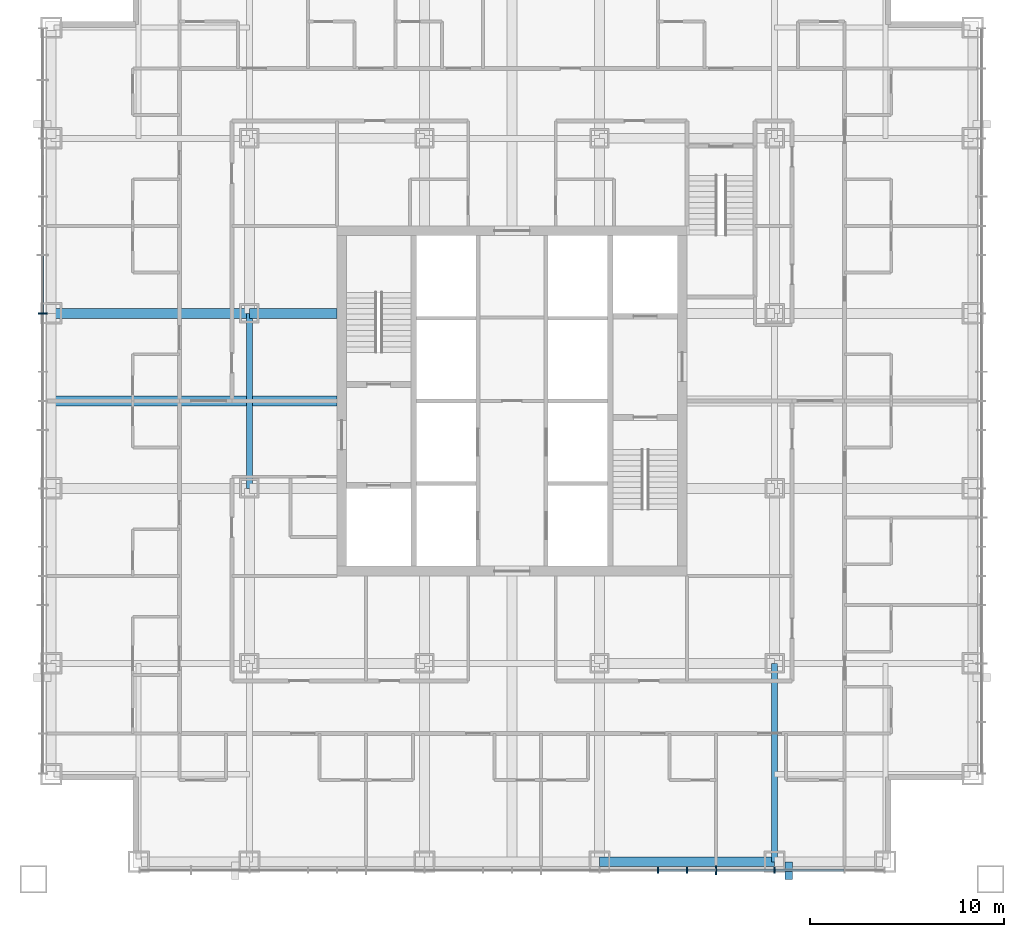
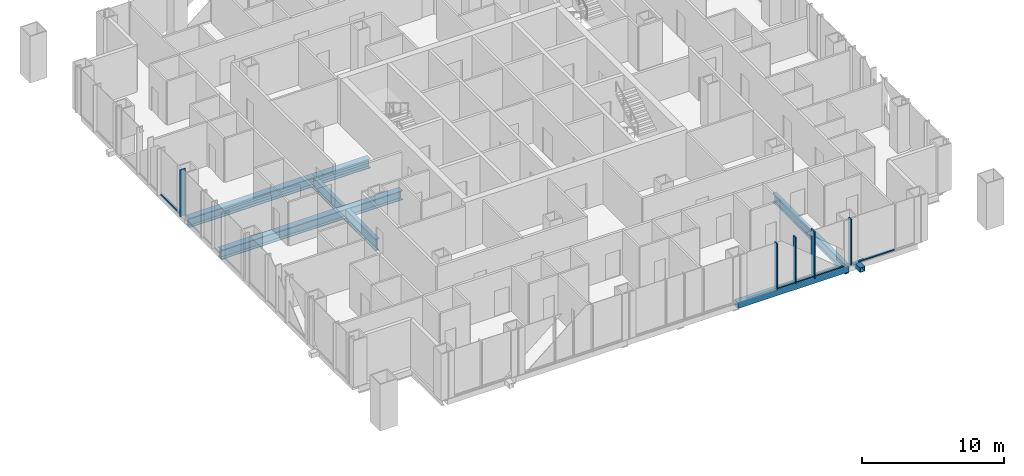
# One storey, part 3 of 16: 11 members, 6 beams, 2 elements without a shape of their own.
"""IFC4 building model written with IfcOpenShell, lengths in metres."""

from ifc_helpers import new_model, si_unit, direction, frame, origin, origin_2d, place, context, subcontext, project, spatial, rectangle, hollow_rectangle, i_section, extrude, material, layer, layer_set, material_profile, profile_set, type_object, element, aggregate, save


model = new_model("IFC4")

# Units and contexts
model_context = context("Model", 3, precision=1e-05, world=origin(), true_north=direction((0.0, 1.0)))
body_context = subcontext(model_context, "Body", "Model", "MODEL_VIEW")
ifc_project = project(units=[si_unit("LENGTHUNIT", "METRE"), si_unit("AREAUNIT", "SQUARE_METRE"), si_unit("VOLUMEUNIT", "CUBIC_METRE"), si_unit("PLANEANGLEUNIT", "RADIAN"), si_unit("MASSUNIT", "GRAM", prefix="KILO")], contexts=[model_context])

# Site, building, storey
site_placement = place(None, origin())
site = spatial("IfcSite", under=ifc_project, at=site_placement, CompositionType="ELEMENT")
building_placement = place(site_placement, origin())
building = spatial("IfcBuilding", under=site, at=building_placement, Name="Malebo Sky Hospital", CompositionType="ELEMENT")
storey_placement = place(building_placement, frame((0.0, 0.0, 108.0)))
storey = spatial("IfcBuildingStorey", under=building, at=storey_placement, Name="L25", CompositionType="ELEMENT", Elevation=108.0)

# Curtain wall, member
ifc_material_1 = material(Name="Anodised aluminium, natural silver", Category="aluminium")
ifc_layer_1 = layer(ifc_material_1, 0.25)
ifc_layer_set_1 = layer_set([ifc_layer_1], Name="WARD CURTAIN WALL EAST AND WEST")
curtain_wall_type_1 = type_object("IfcCurtainWallType", Name="WARD CURTAIN WALL EAST AND WEST", PredefinedType="NOTDEFINED", material=ifc_layer_set_1)
curtain_wall_1_placement = place(storey_placement, origin())
curtain_wall_1 = element("IfcCurtainWall", 1, at=curtain_wall_1_placement, inside=storey, type_object=curtain_wall_type_1, Name="EW curtain wall W", PredefinedType="NOTDEFINED")
ifc_material_profile_1 = material_profile(ifc_material_1, rectangle(XDim=0.14990234375, YDim=0.10009765625, at=origin_2d()), Name="ALUMINIUM TRANSOM 150x100")
ifc_profile_set_1 = profile_set([ifc_material_profile_1], Name="Anodised aluminium, natural silver")
member_type_1 = type_object("IfcMemberType", Name="ALUMINIUM TRANSOM 150x100", PredefinedType="USERDEFINED", material=ifc_profile_set_1)
member_1_placement = place(storey_placement, frame((35.864990234375, 66.53759765625, 0.050048828125), z_axis=(0.0, 1.0, 0.0), x_axis=(-1.0, 0.0, 0.0)))
member_1 = element("IfcMember", 2, at=member_1_placement, type_object=member_type_1, Name="Transom 11", ObjectType="TRANSOM", PredefinedType="USERDEFINED", context=body_context, shape_type="SweptSolid", body=[
    extrude(rectangle(XDim=0.14990234375, YDim=0.10009765625, at=origin_2d()), origin(), (0.0, 0.0, 1.0), 2.9248046875),
])

# Curtain wall, members
ifc_layer_2 = layer(ifc_material_1, 0.25)
ifc_layer_set_2 = layer_set([ifc_layer_2], Name="WARD CURTAIN WALL NORTH AND SOUTH")
curtain_wall_type_2 = type_object("IfcCurtainWallType", Name="WARD CURTAIN WALL NORTH AND SOUTH", PredefinedType="NOTDEFINED", material=ifc_layer_set_2)
curtain_wall_2_placement = place(storey_placement, origin())
curtain_wall_2 = element("IfcCurtainWall", 3, at=curtain_wall_2_placement, inside=storey, type_object=curtain_wall_type_2, Name="NS curtain wall S", PredefinedType="NOTDEFINED")
member_2_placement = place(storey_placement, frame((77.0625, 37.864990234375, 0.050048828125), z_axis=(-1.0, 0.0, 0.0), x_axis=(0.0, -1.0, 0.0)))
member_2 = element("IfcMember", 4, at=member_2_placement, type_object=member_type_1, Name="Transom 2", ObjectType="TRANSOM", PredefinedType="USERDEFINED", context=body_context, shape_type="SweptSolid", body=[
    extrude(rectangle(XDim=0.14990234375, YDim=0.10009765625, at=origin_2d()), origin(), (0.0, 0.0, 1.0), 3.52490234375),
])
member_3_placement = place(storey_placement, frame((73.46240234375, 37.864990234375, 0.050048828125), z_axis=(-1.0, 0.0, 0.0), x_axis=(0.0, -1.0, 0.0)))
member_3 = element("IfcMember", 5, at=member_3_placement, type_object=member_type_1, Name="Transom 3", ObjectType="TRANSOM", PredefinedType="USERDEFINED", context=body_context, shape_type="SweptSolid", body=[
    extrude(rectangle(XDim=0.14990234375, YDim=0.10009765625, at=origin_2d()), origin(), (0.0, 0.0, 1.0), 2.9248046875),
])
member_4_placement = place(storey_placement, frame((70.46240234375, 37.864990234375, 0.050048828125), z_axis=(-1.0, 0.0, 0.0), x_axis=(0.0, -1.0, 0.0)))
member_4 = element("IfcMember", 6, at=member_4_placement, type_object=member_type_1, Name="Transom 4", ObjectType="TRANSOM", PredefinedType="USERDEFINED", context=body_context, shape_type="SweptSolid", body=[
    extrude(rectangle(XDim=0.14990234375, YDim=0.10009765625, at=origin_2d()), origin(), (0.0, 0.0, 1.0), 1.4248046875),
])
member_5_placement = place(storey_placement, frame((68.96240234375, 37.864990234375, 0.050048828125), z_axis=(-1.0, 0.0, 0.0), x_axis=(0.0, -1.0, 0.0)))
member_5 = element("IfcMember", 7, at=member_5_placement, type_object=member_type_1, Name="Transom 5", ObjectType="TRANSOM", PredefinedType="USERDEFINED", context=body_context, shape_type="SweptSolid", body=[
    extrude(rectangle(XDim=0.14990234375, YDim=0.10009765625, at=origin_2d()), origin(), (0.0, 0.0, 1.0), 1.4248046875),
])

# Member
ifc_material_2 = material(Name="Steel S355", Category="steel")
ifc_material_profile_2 = material_profile(ifc_material_2, hollow_rectangle(XDim=0.39990234375, YDim=0.39990234375, WallThickness=0.02001953125, at=origin_2d()), Name="SHS 400x20")
ifc_profile_set_2 = profile_set([ifc_material_profile_2], Name="Steel S355")
member_type_2 = type_object("IfcMemberType", Name="BRACE STRUT SHS 400x20", PredefinedType="STRUT", material=ifc_profile_set_2)
member_6_placement = place(storey_placement, frame((74.22607421875, 37.39990234375, -0.39990234375), z_axis=(0.0, 1.0, 0.0), x_axis=(-1.0, 0.0, 0.0)))
element("IfcMember", 8, at=member_6_placement, inside=storey, type_object=member_type_2, Name="Brace strut BS2 L25", PredefinedType="STRUT", context=body_context, shape_type="SweptSolid", body=[
    extrude(hollow_rectangle(XDim=0.39990234375, YDim=0.39990234375, WallThickness=0.02001953125, at=origin_2d()), origin(), (0.0, 0.0, 1.0), 0.900146484375),
])

ifc_material_profile_3 = material_profile(ifc_material_1, rectangle(XDim=0.074951171875, YDim=0.300048828125, at=origin_2d()), Name="CW1 ALUMINIUM FIN MULLION 75x300")
ifc_profile_set_3 = profile_set([ifc_material_profile_3], Name="Anodised aluminium, natural silver")
member_type_3 = type_object("IfcMemberType", Name="CW1 ALUMINIUM FIN MULLION 75x300", PredefinedType="MULLION", material=ifc_profile_set_3)
member_7_placement = place(storey_placement, frame((73.5, 37.864990234375, 0.0), z_axis=(0.0, 0.0, 1.0), x_axis=(-1.0, 0.0, 0.0)))
member_7 = element("IfcMember", 9, at=member_7_placement, type_object=member_type_3, Name="Fin mullion 3", PredefinedType="MULLION", context=body_context, shape_type="SweptSolid", body=[
    extrude(rectangle(XDim=0.074951171875, YDim=0.300048828125, at=origin_2d()), origin(), (0.0, 0.0, 1.0), 4.0),
])

member_8_placement = place(storey_placement, frame((69.0, 37.864990234375, 0.0), z_axis=(0.0, 0.0, 1.0), x_axis=(-1.0, 0.0, 0.0)))
member_8 = element("IfcMember", 10, at=member_8_placement, type_object=member_type_3, Name="Fin mullion 5", PredefinedType="MULLION", context=body_context, shape_type="SweptSolid", body=[
    extrude(rectangle(XDim=0.074951171875, YDim=0.300048828125, at=origin_2d()), origin(), (0.0, 0.0, 1.0), 4.0),
])

member_9_placement = place(storey_placement, frame((67.5, 37.864990234375, 0.0), z_axis=(0.0, 0.0, 1.0), x_axis=(-1.0, 0.0, 0.0)))
member_9 = element("IfcMember", 11, at=member_9_placement, type_object=member_type_3, Name="Fin mullion 6", PredefinedType="MULLION", context=body_context, shape_type="SweptSolid", body=[
    extrude(rectangle(XDim=0.074951171875, YDim=0.300048828125, at=origin_2d()), origin(), (0.0, 0.0, 1.0), 4.0),
])

ifc_material_profile_4 = material_profile(ifc_material_1, rectangle(XDim=0.074951171875, YDim=0.449951171875, at=origin_2d()), Name="CW1 ALUMINIUM FIN MULLION 75x450")
ifc_profile_set_4 = profile_set([ifc_material_profile_4], Name="Anodised aluminium, natural silver")
member_type_4 = type_object("IfcMemberType", Name="CW1 ALUMINIUM FIN MULLION 75x450", PredefinedType="MULLION", material=ifc_profile_set_4)
member_10_placement = place(storey_placement, frame((70.5, 37.864990234375, 0.0), z_axis=(0.0, 0.0, 1.0), x_axis=(-1.0, 0.0, 0.0)))
member_10 = element("IfcMember", 12, at=member_10_placement, type_object=member_type_4, Name="Fin mullion 4", PredefinedType="MULLION", context=body_context, shape_type="SweptSolid", body=[
    extrude(rectangle(XDim=0.074951171875, YDim=0.449951171875, at=origin_2d()), origin(), (0.0, 0.0, 1.0), 4.0),
])

aggregate(curtain_wall_2, [member_7, member_10, member_8, member_9, member_2, member_3, member_4, member_5])

ifc_material_profile_5 = material_profile(ifc_material_1, rectangle(XDim=0.074951171875, YDim=0.449951171875, at=origin_2d()), Name="CW2 ALUMINIUM FIN MULLION 75x450")
ifc_profile_set_5 = profile_set([ifc_material_profile_5], Name="Anodised aluminium, natural silver")
member_type_5 = type_object("IfcMemberType", Name="CW2 ALUMINIUM FIN MULLION 75x450", PredefinedType="MULLION", material=ifc_profile_set_5)
member_11_placement = place(storey_placement, frame((35.864990234375, 66.5, 0.0), z_axis=(0.0, 0.0, 1.0), x_axis=(0.0, 1.0, 0.0)))
member_11 = element("IfcMember", 13, at=member_11_placement, type_object=member_type_5, Name="Fin mullion 11", PredefinedType="MULLION", context=body_context, shape_type="SweptSolid", body=[
    extrude(rectangle(XDim=0.074951171875, YDim=0.449951171875, at=origin_2d()), origin(), (0.0, 0.0, 1.0), 4.0),
])

aggregate(curtain_wall_1, [member_11, member_1])

# Beams
ifc_material_3 = material(Name="Steel S460", Category="steel")
ifc_material_profile_6 = material_profile(ifc_material_3, hollow_rectangle(XDim=0.5, YDim=0.5, WallThickness=0.030029296875, at=origin_2d()), Name="BOX 500x500x30")
ifc_profile_set_6 = profile_set([ifc_material_profile_6], Name="Steel S460")
beam_type_1 = type_object("IfcBeamType", Name="EDGE BEAM BOX 500x500x30", PredefinedType="BEAM", material=ifc_profile_set_6)
beam_1_placement = place(storey_placement, frame((64.5, 38.300048828125, -0.5), z_axis=(1.0, 0.0, 0.0), x_axis=(0.0, 1.0, 0.0)))
element("IfcBeam", 14, at=beam_1_placement, inside=storey, type_object=beam_type_1, Name="Beam 037 L25", PredefinedType="BEAM", context=body_context, shape_type="SweptSolid", body=[
    extrude(hollow_rectangle(XDim=0.5, YDim=0.5, WallThickness=0.030029296875, at=origin_2d()), origin(), (0.0, 0.0, 1.0), 9.0),
])
ifc_material_profile_7 = material_profile(ifc_material_2, i_section(OverallWidth=0.5, OverallDepth=0.800048828125, WebThickness=0.030029296875, FlangeThickness=0.050048828125, at=origin_2d()), Name="PG 800x500x30x50")
ifc_profile_set_7 = profile_set([ifc_material_profile_7], Name="Steel S355")
beam_type_2 = type_object("IfcBeamType", Name="FLOOR BEAM PG 800x500x30x50", PredefinedType="BEAM", material=ifc_profile_set_7)
beam_2_placement = place(storey_placement, frame((36.300048828125, 62.0, -0.64990234375), z_axis=(1.0, 0.0, 0.0), x_axis=(0.0, 1.0, 0.0)))
element("IfcBeam", 15, at=beam_2_placement, inside=storey, type_object=beam_type_2, Name="Beam 050 L25", PredefinedType="BEAM", context=body_context, shape_type="SweptSolid", body=[
    extrude(i_section(OverallWidth=0.5, OverallDepth=0.800048828125, WebThickness=0.030029296875, FlangeThickness=0.050048828125, at=origin_2d()), origin(), (0.0, 0.0, 1.0), 14.699951171875),
])
beam_3_placement = place(storey_placement, frame((36.300048828125, 66.5, -0.64990234375), z_axis=(1.0, 0.0, 0.0), x_axis=(0.0, 1.0, 0.0)))
element("IfcBeam", 16, at=beam_3_placement, inside=storey, type_object=beam_type_2, Name="Beam 052 L25", PredefinedType="BEAM", context=body_context, shape_type="SweptSolid", body=[
    extrude(i_section(OverallWidth=0.5, OverallDepth=0.800048828125, WebThickness=0.030029296875, FlangeThickness=0.050048828125, at=origin_2d()), origin(), (0.0, 0.0, 1.0), 10.199951171875),
])
beam_4_placement = place(storey_placement, frame((46.5, 66.5, -0.64990234375), z_axis=(1.0, 0.0, 0.0), x_axis=(0.0, 1.0, 0.0)))
element("IfcBeam", 17, at=beam_4_placement, inside=storey, type_object=beam_type_2, Name="Beam 053 L25", PredefinedType="BEAM", context=body_context, shape_type="SweptSolid", body=[
    extrude(i_section(OverallWidth=0.5, OverallDepth=0.800048828125, WebThickness=0.030029296875, FlangeThickness=0.050048828125, at=origin_2d()), origin(), (0.0, 0.0, 1.0), 4.5),
])
ifc_material_profile_8 = material_profile(ifc_material_2, i_section(OverallWidth=0.300048828125, OverallDepth=0.800048828125, WebThickness=0.017578125, FlangeThickness=0.032958984375, FilletRadius=0.030029296875, at=origin_2d()), Name="HEB 800")
ifc_profile_set_8 = profile_set([ifc_material_profile_8], Name="Steel S355")
beam_type_3 = type_object("IfcBeamType", Name="FLOOR GIRDER HEB 800", PredefinedType="BEAM", material=ifc_profile_set_8)
beam_5_placement = place(storey_placement, frame((73.5, 38.300048828125, -0.64990234375), z_axis=(0.0, 1.0, 0.0), x_axis=(-1.0, 0.0, 0.0)))
element("IfcBeam", 18, at=beam_5_placement, inside=storey, type_object=beam_type_3, Name="Beam 022 L25", PredefinedType="BEAM", context=body_context, shape_type="SweptSolid", body=[
    extrude(i_section(OverallWidth=0.300048828125, OverallDepth=0.800048828125, WebThickness=0.017578125, FlangeThickness=0.032958984375, FilletRadius=0.030029296875, at=origin_2d()), origin(), (0.0, 0.0, 1.0), 10.199951171875),
])
ifc_material_profile_9 = material_profile(ifc_material_2, i_section(OverallWidth=0.300048828125, OverallDepth=1.0, WebThickness=0.01904296875, FlangeThickness=0.035888671875, FilletRadius=0.030029296875, at=origin_2d()), Name="HEB 1000")
ifc_profile_set_9 = profile_set([ifc_material_profile_9], Name="Steel S355")
beam_type_4 = type_object("IfcBeamType", Name="RING GIRDER HEB 1000", PredefinedType="BEAM", material=ifc_profile_set_9)
beam_6_placement = place(storey_placement, frame((46.5, 57.5, -0.75), z_axis=(0.0, 1.0, 0.0), x_axis=(-1.0, 0.0, 0.0)))
element("IfcBeam", 19, at=beam_6_placement, inside=storey, type_object=beam_type_4, Name="Beam 009 L25", PredefinedType="BEAM", context=body_context, shape_type="SweptSolid", body=[
    extrude(i_section(OverallWidth=0.300048828125, OverallDepth=1.0, WebThickness=0.01904296875, FlangeThickness=0.035888671875, FilletRadius=0.030029296875, at=origin_2d()), origin(), (0.0, 0.0, 1.0), 9.0),
])

save(model, "model.ifc")
